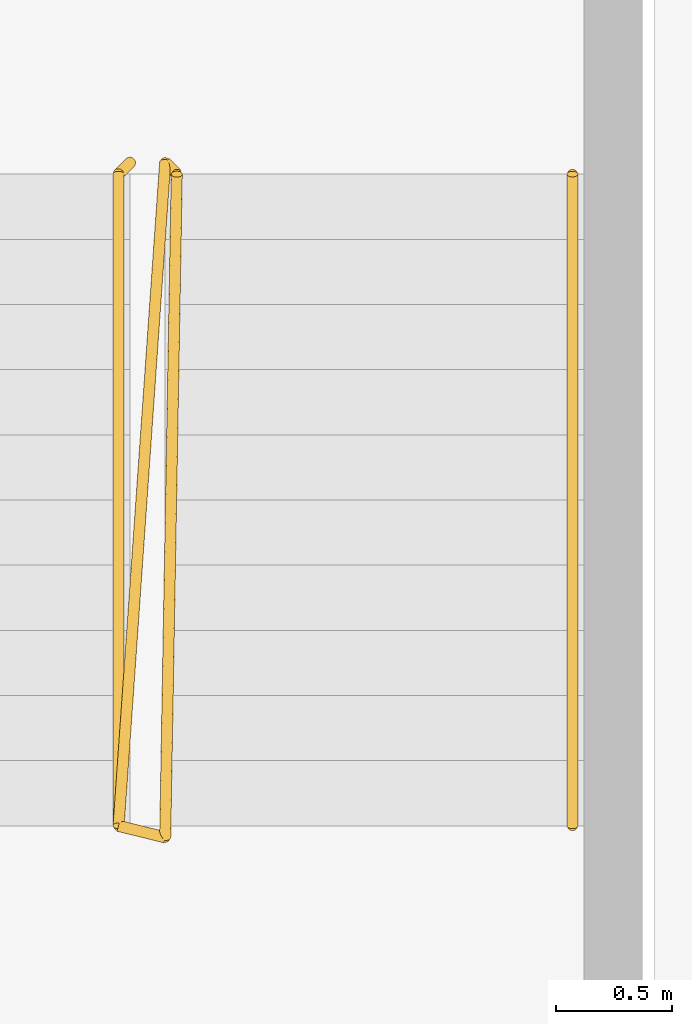
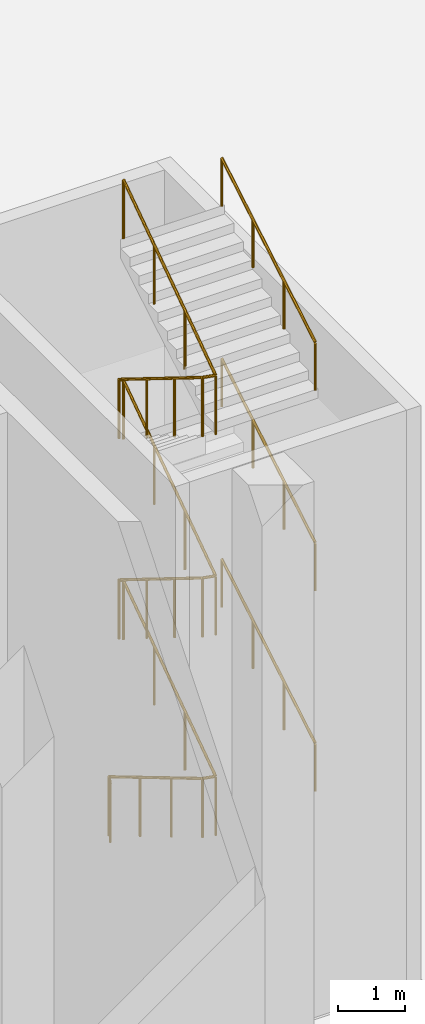
# One storey, part 25 of 26: 4 railings.
"""IFC4 building model written with IfcOpenShell, lengths in metres."""

from ifc_helpers import new_model, si_unit, direction, frame, origin, origin_2d, place, context, subcontext, project, spatial, circle, extrude, material, type_object, element, save


model = new_model("IFC4")

# Units and contexts
model_context = context("Model", 3, precision=1e-05, world=origin(), true_north=direction((0.0, 1.0)))
body_context = subcontext(model_context, "Body", "Model", "MODEL_VIEW")
ifc_project = project(units=[si_unit("LENGTHUNIT", "METRE"), si_unit("AREAUNIT", "SQUARE_METRE"), si_unit("VOLUMEUNIT", "CUBIC_METRE"), si_unit("PLANEANGLEUNIT", "RADIAN"), si_unit("MASSUNIT", "GRAM", prefix="KILO")], contexts=[model_context])

# Site, building, storey
site_placement = place(None, origin())
site = spatial("IfcSite", under=ifc_project, at=site_placement, CompositionType="ELEMENT")
building_placement = place(site_placement, origin())
building = spatial("IfcBuilding", under=site, at=building_placement, Name="Kajstack Hotel Tower", CompositionType="ELEMENT")
storey_placement = place(building_placement, origin())
storey = spatial("IfcBuildingStorey", under=building, at=storey_placement, Name="L00", CompositionType="ELEMENT", Elevation=0.0)

# Railings
ifc_material = material(Name="Steel S355J2", Category="steel")
railing_type_1 = type_object("IfcRailingType", Name="Stair guard 1100", PredefinedType="GUARDRAIL", material=ifc_material)
railing_1_placement = place(storey_placement, frame((41.449951171875, -3.75, 0.0)))
element("IfcRailing", 1, at=railing_1_placement, inside=storey, type_object=railing_type_1, Name="L00 P2 stair guard 1", PredefinedType="GUARDRAIL", context=body_context, shape_type="SweptSolid", body=[
    extrude(circle(Radius=0.02392578125, at=origin_2d()), frame((0.0, 0.0, 1.076171875), z_axis=(-0.27628659633, -0.27628659633, 0.920506074601), x_axis=(0.707106781187, -0.707106781187, 0.0)), (0.0, 0.0, 1.0), 0.18115234375),
    extrude(circle(Radius=0.02392578125, at=origin_2d()), frame((-0.050048828125, -0.050048828125, 1.24267578125), z_axis=(0.0, -0.859318757487, 0.511440390497), x_axis=(1.0, 0.0, 0.0)), (0.0, 0.0, 1.0), 3.258544921875),
    extrude(circle(Radius=0.02392578125, at=origin_2d()), frame((-0.050048828125, -2.85009765625, 2.9091796875), z_axis=(0.970420317083, -0.24142163986, 0.0), x_axis=(0.24142163986, 0.970420317083, 0.0)), (0.0, 0.0, 1.0), 0.206298828125),
    extrude(circle(Radius=0.02392578125, at=origin_2d()), frame((0.150146484375, -2.89990234375, 2.9091796875), z_axis=(0.014695642666, 0.840893317832, 0.541001355), x_axis=(-0.999847325713, 0.01747355902, 0.0)), (0.0, 0.0, 1.0), 3.38916015625),
    extrude(circle(Radius=0.02392578125, at=origin_2d()), frame((0.199951171875, -0.050048828125, 4.74267578125), z_axis=(-0.705375805398, 0.708833529934, 0.0), x_axis=(-0.708833529934, -0.705375805398, 0.0)), (0.0, 0.0, 1.0), 0.070556640625),
    extrude(circle(Radius=0.02392578125, at=origin_2d()), frame((0.150146484375, 0.0, 4.74267578125), z_axis=(-0.058973006376, -0.839574239558, 0.540034518146), x_axis=(0.997542152759, -0.070068919416, 0.0)), (0.0, 0.0, 1.0), 3.394775390625),
    extrude(circle(Radius=0.02392578125, at=origin_2d()), frame((-0.050048828125, -2.85009765625, 6.576171875), z_axis=(0.970420317083, -0.24142163986, 0.0), x_axis=(0.24142163986, 0.970420317083, 0.0)), (0.0, 0.0, 1.0), 0.206298828125),
    extrude(circle(Radius=0.02392578125, at=origin_2d()), frame((0.150146484375, -2.89990234375, 6.576171875), z_axis=(0.014696215385, 0.840926089168, 0.54095039866), x_axis=(-0.999847325713, 0.01747355902, 0.0)), (0.0, 0.0, 1.0), 3.388916015625),
    extrude(circle(Radius=0.02392578125, at=origin_2d()), frame((0.199951171875, -0.050048828125, 8.4091796875), z_axis=(-0.705375805398, 0.708833529934, 0.0), x_axis=(-0.708833529934, -0.705375805398, 0.0)), (0.0, 0.0, 1.0), 0.070556640625),
    extrude(circle(Radius=0.02392578125, at=origin_2d()), frame((0.150146484375, 0.0, 8.4091796875), z_axis=(-0.058970715942, -0.839541631596, 0.540085459421), x_axis=(0.997542152759, -0.070068919416, 0.0)), (0.0, 0.0, 1.0), 3.394775390625),
    extrude(circle(Radius=0.02392578125, at=origin_2d()), frame((-0.050048828125, -2.85009765625, 10.24267578125), z_axis=(0.970420317083, -0.24142163986, 0.0), x_axis=(0.24142163986, 0.970420317083, 0.0)), (0.0, 0.0, 1.0), 0.206298828125),
    extrude(circle(Radius=0.02392578125, at=origin_2d()), frame((0.150146484375, -2.89990234375, 10.24267578125), z_axis=(0.014696215385, 0.840926089168, 0.54095039866), x_axis=(-0.999847325713, 0.01747355902, 0.0)), (0.0, 0.0, 1.0), 3.388916015625),
    extrude(circle(Radius=0.02099609375, at=origin_2d()), origin(), (0.0, 0.0, 1.0), 1.052001953125),
    extrude(circle(Radius=0.02099609375, at=origin_2d()), frame((-0.050048828125, -0.050048828125, 0.166748046875)), (0.0, 0.0, 1.0), 1.052001953125),
    extrude(circle(Radius=0.02099609375, at=origin_2d()), frame((-0.050048828125, -0.9833984375, 0.72216796875)), (0.0, 0.0, 1.0), 1.052001953125),
    extrude(circle(Radius=0.02099609375, at=origin_2d()), frame((-0.050048828125, -1.916748046875, 1.27783203125)), (0.0, 0.0, 1.0), 1.052001953125),
    extrude(circle(Radius=0.02099609375, at=origin_2d()), frame((-0.050048828125, -2.85009765625, 1.833251953125)), (0.0, 0.0, 1.0), 1.052001953125),
    extrude(circle(Radius=0.02099609375, at=origin_2d()), frame((0.150146484375, -2.89990234375, 1.833251953125)), (0.0, 0.0, 1.0), 1.052001953125),
    extrude(circle(Radius=0.02099609375, at=origin_2d()), frame((0.166748046875, -1.949951171875, 2.4443359375)), (0.0, 0.0, 1.0), 1.052001953125),
    extrude(circle(Radius=0.02099609375, at=origin_2d()), frame((0.183349609375, -1.0, 3.0556640625)), (0.0, 0.0, 1.0), 1.052001953125),
    extrude(circle(Radius=0.02099609375, at=origin_2d()), frame((0.199951171875, -0.050048828125, 3.666748046875)), (0.0, 0.0, 1.0), 1.052001953125),
    extrude(circle(Radius=0.02099609375, at=origin_2d()), frame((0.150146484375, 0.0, 3.666748046875)), (0.0, 0.0, 1.0), 1.052001953125),
    extrude(circle(Radius=0.02099609375, at=origin_2d()), frame((0.08349609375, -0.949951171875, 4.27783203125)), (0.0, 0.0, 1.0), 1.052001953125),
    extrude(circle(Radius=0.02099609375, at=origin_2d()), frame((0.0166015625, -1.900146484375, 4.888916015625)), (0.0, 0.0, 1.0), 1.052001953125),
    extrude(circle(Radius=0.02099609375, at=origin_2d()), frame((-0.050048828125, -2.85009765625, 5.5)), (0.0, 0.0, 1.0), 1.052001953125),
    extrude(circle(Radius=0.02099609375, at=origin_2d()), frame((0.150146484375, -2.89990234375, 5.5)), (0.0, 0.0, 1.0), 1.052001953125),
    extrude(circle(Radius=0.02099609375, at=origin_2d()), frame((0.166748046875, -1.949951171875, 6.111083984375)), (0.0, 0.0, 1.0), 1.052001953125),
    extrude(circle(Radius=0.02099609375, at=origin_2d()), frame((0.183349609375, -1.0, 6.72216796875)), (0.0, 0.0, 1.0), 1.052001953125),
    extrude(circle(Radius=0.02099609375, at=origin_2d()), frame((0.199951171875, -0.050048828125, 7.333251953125)), (0.0, 0.0, 1.0), 1.052001953125),
    extrude(circle(Radius=0.02099609375, at=origin_2d()), frame((0.150146484375, 0.0, 7.333251953125)), (0.0, 0.0, 1.0), 1.052001953125),
    extrude(circle(Radius=0.02099609375, at=origin_2d()), frame((0.08349609375, -0.949951171875, 7.9443359375)), (0.0, 0.0, 1.0), 1.052001953125),
    extrude(circle(Radius=0.02099609375, at=origin_2d()), frame((0.0166015625, -1.900146484375, 8.5556640625)), (0.0, 0.0, 1.0), 1.052001953125),
    extrude(circle(Radius=0.02099609375, at=origin_2d()), frame((-0.050048828125, -2.85009765625, 9.166748046875)), (0.0, 0.0, 1.0), 1.052001953125),
    extrude(circle(Radius=0.02099609375, at=origin_2d()), frame((0.150146484375, -2.89990234375, 9.166748046875)), (0.0, 0.0, 1.0), 1.052001953125),
    extrude(circle(Radius=0.02099609375, at=origin_2d()), frame((0.166748046875, -1.949951171875, 9.77783203125)), (0.0, 0.0, 1.0), 1.052001953125),
    extrude(circle(Radius=0.02099609375, at=origin_2d()), frame((0.183349609375, -1.0, 10.388916015625)), (0.0, 0.0, 1.0), 1.052001953125),
    extrude(circle(Radius=0.02099609375, at=origin_2d()), frame((0.199951171875, -0.050048828125, 11.0)), (0.0, 0.0, 1.0), 1.052001953125),
])
railing_type_2 = type_object("IfcRailingType", Name="Stair handrail 900", PredefinedType="HANDRAIL", material=ifc_material)
railing_2_placement = place(storey_placement, frame((43.35009765625, -6.60009765625, 2.0)))
element("IfcRailing", 2, at=railing_2_placement, inside=storey, type_object=railing_type_2, Name="L00 P2 stair handrail 2", PredefinedType="HANDRAIL", context=body_context, shape_type="SweptSolid", body=[
    extrude(circle(Radius=0.02392578125, at=origin_2d()), frame((0.0, 0.0, 0.8759765625), z_axis=(0.0, 0.859285828005, 0.511495714342), x_axis=(-1.0, 0.0, 0.0)), (0.0, 0.0, 1.0), 3.258544921875),
    extrude(circle(Radius=0.02099609375, at=origin_2d()), origin(), (0.0, 0.0, 1.0), 0.851806640625),
    extrude(circle(Radius=0.02099609375, at=origin_2d()), frame((0.0, 0.933349609375, 0.5556640625)), (0.0, 0.0, 1.0), 0.851806640625),
    extrude(circle(Radius=0.02099609375, at=origin_2d()), frame((0.0, 1.86669921875, 1.111083984375)), (0.0, 0.0, 1.0), 0.851806640625),
    extrude(circle(Radius=0.02099609375, at=origin_2d()), frame((0.0, 2.800048828125, 1.666748046875)), (0.0, 0.0, 1.0), 0.851806640625),
])
railing_3_placement = place(storey_placement, frame((43.35009765625, -6.60009765625, 5.666748046875)))
element("IfcRailing", 3, at=railing_3_placement, inside=storey, type_object=railing_type_2, Name="L00 P2 stair handrail 4", PredefinedType="HANDRAIL", context=body_context, shape_type="SweptSolid", body=[
    extrude(circle(Radius=0.02392578125, at=origin_2d()), frame((0.0, 0.0, 0.8759765625), z_axis=(0.0, 0.859318757487, 0.511440390497), x_axis=(-1.0, 0.0, 0.0)), (0.0, 0.0, 1.0), 3.258544921875),
    extrude(circle(Radius=0.02099609375, at=origin_2d()), origin(), (0.0, 0.0, 1.0), 0.851806640625),
    extrude(circle(Radius=0.02099609375, at=origin_2d()), frame((0.0, 0.933349609375, 0.555419921875)), (0.0, 0.0, 1.0), 0.851806640625),
    extrude(circle(Radius=0.02099609375, at=origin_2d()), frame((0.0, 1.86669921875, 1.111083984375)), (0.0, 0.0, 1.0), 0.851806640625),
    extrude(circle(Radius=0.02099609375, at=origin_2d()), frame((0.0, 2.800048828125, 1.66650390625)), (0.0, 0.0, 1.0), 0.851806640625),
])
railing_4_placement = place(storey_placement, frame((43.35009765625, -6.60009765625, 9.333251953125)))
element("IfcRailing", 4, at=railing_4_placement, inside=storey, type_object=railing_type_2, Name="L00 P2 stair handrail 6", PredefinedType="HANDRAIL", context=body_context, shape_type="SweptSolid", body=[
    extrude(circle(Radius=0.02392578125, at=origin_2d()), frame((0.0, 0.0, 0.8759765625), z_axis=(0.0, 0.859285828005, 0.511495714342), x_axis=(-1.0, 0.0, 0.0)), (0.0, 0.0, 1.0), 3.258544921875),
    extrude(circle(Radius=0.02099609375, at=origin_2d()), origin(), (0.0, 0.0, 1.0), 0.851806640625),
    extrude(circle(Radius=0.02099609375, at=origin_2d()), frame((0.0, 0.933349609375, 0.5556640625)), (0.0, 0.0, 1.0), 0.851806640625),
    extrude(circle(Radius=0.02099609375, at=origin_2d()), frame((0.0, 1.86669921875, 1.111083984375)), (0.0, 0.0, 1.0), 0.851806640625),
    extrude(circle(Radius=0.02099609375, at=origin_2d()), frame((0.0, 2.800048828125, 1.666748046875)), (0.0, 0.0, 1.0), 0.851806640625),
])

save(model, "model.ifc")
